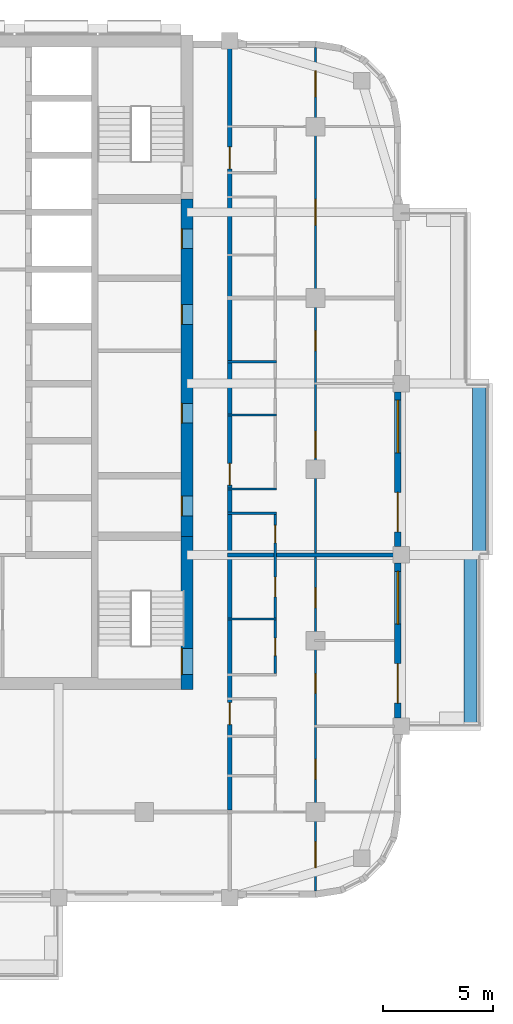
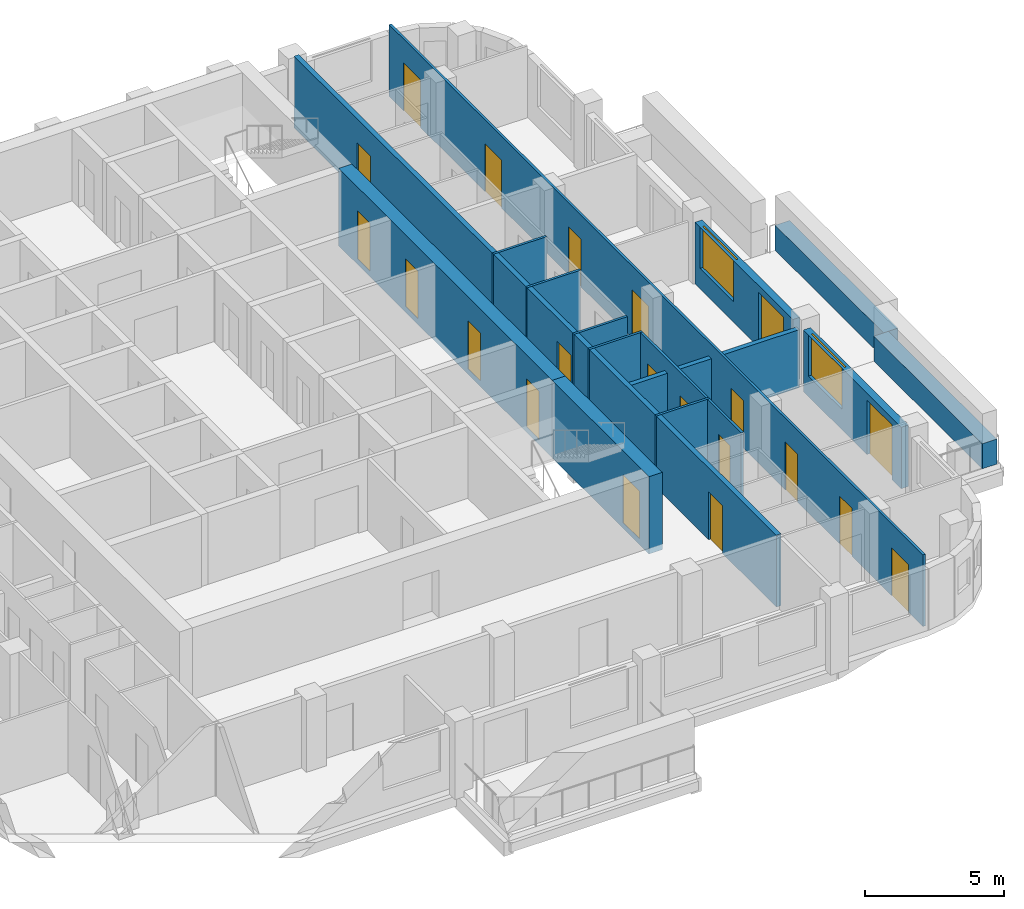
# One storey, part 6 of 13: 21 doors, 15 walls, 2 windows, 23 openings.
"""IFC4 building model written with IfcOpenShell, lengths in metres."""

from ifc_helpers import new_model, si_unit, direction, frame, frame_2d, origin, place, context, subcontext, project, spatial, rectangle, extrude, material, layer, layer_set, type_object, element, fill, save


model = new_model("IFC4")

# Units and contexts
model_context = context("Model", 3, precision=1e-05, world=origin(), true_north=direction((0.0, 1.0)))
body_context = subcontext(model_context, "Body", "Model", "MODEL_VIEW")
ifc_project = project(units=[si_unit("LENGTHUNIT", "METRE"), si_unit("AREAUNIT", "SQUARE_METRE"), si_unit("VOLUMEUNIT", "CUBIC_METRE"), si_unit("PLANEANGLEUNIT", "RADIAN"), si_unit("MASSUNIT", "GRAM", prefix="KILO")], contexts=[model_context])

# Site, building, storey
site_placement = place(None, origin())
site = spatial("IfcSite", under=ifc_project, at=site_placement, CompositionType="ELEMENT")
building_placement = place(site_placement, origin())
building = spatial("IfcBuilding", under=site, at=building_placement, Name="Ludao Terraces", CompositionType="ELEMENT")
storey_placement = place(building_placement, frame((0.0, 0.0, 158.800048828125)))
storey = spatial("IfcBuildingStorey", under=building, at=storey_placement, Name="L43", CompositionType="ELEMENT", Elevation=158.800048828125)

# Wall, opening, door
ifc_material_1 = material(Name="Concrete C60", Category="concrete")
ifc_layer_1 = layer(ifc_material_1, 0.550048828125)
ifc_layer_set_1 = layer_set([ifc_layer_1], Name="Core wall 550 C60")
wall_type_1 = type_object("IfcWallType", Name="Core wall 550 C60", PredefinedType="SOLIDWALL", material=ifc_layer_set_1)
wall_1_placement = place(storey_placement, frame((94.75, 54.97509765625, -0.25), z_axis=(0.0, 0.0, 1.0), x_axis=(0.0, 1.0, 0.0)))
wall_1 = element("IfcWall", 1, at=wall_1_placement, inside=storey, type_object=wall_type_1, Name="Core wall L43 outer-E-S3", PredefinedType="SOLIDWALL", context=body_context, shape_type="SweptSolid", body=[
    extrude(rectangle(XDim=6.974853515625, YDim=0.550048828125, at=frame_2d((3.4873046875, 0.0))), origin(), (0.0, 0.0, 1.0), 3.39990234375),
])
opening_1_placement = place(wall_1_placement, frame((0.675048828125, 0.0, 0.25)))
opening_1 = element("IfcOpeningElement", 2, at=opening_1_placement, cuts=wall_1, Name="Opening R15-017", PredefinedType="OPENING", context=body_context, shape_type="SweptSolid", body=[
    extrude(rectangle(XDim=1.199951171875, YDim=2.10009765625, at=frame_2d((0.60009765625, 1.050048828125))), frame((0.0, 0.28515625, 0.0), z_axis=(0.0, -1.0, 0.0), x_axis=(1.0, 0.0, 0.0)), (0.0, 0.0, 1.0), 0.570068359375),
])
ifc_material_2 = material(Name="Steel Q235", Category="steel")
door_type_1 = type_object("IfcDoorType", Name="INT Stair door 1200", OperationType="DOUBLE_DOOR_SINGLE_SWING", PredefinedType="DOOR", material=ifc_material_2)
door_1_placement = place(opening_1_placement, origin())
door_1 = element("IfcDoor", 3, at=door_1_placement, inside=storey, type_object=door_type_1, Name="DOOR 017", OperationType="DOUBLE_DOOR_SINGLE_SWING", OverallHeight=2.10009765625, OverallWidth=1.199951171875, PredefinedType="DOOR", context=body_context, shape_type="SweptSolid", body=[
    extrude(rectangle(XDim=1.199951171875, YDim=2.10009765625, at=frame_2d((0.60009765625, 1.050048828125))), frame((0.0, 0.26025390625, 0.0), z_axis=(0.0, -1.0, 0.0), x_axis=(1.0, 0.0, 0.0)), (0.0, 0.0, 1.0), 0.050048828125),
])
fill(opening_1, door_1)

# Wall, openings, doors
wall_2_placement = place(storey_placement, frame((94.75, 61.949951171875, -0.25), z_axis=(0.0, 0.0, 1.0), x_axis=(0.0, 1.0, 0.0)))
wall_2 = element("IfcWall", 4, at=wall_2_placement, inside=storey, type_object=wall_type_1, Name="Core wall L43 outer-E", PredefinedType="SOLIDWALL", context=body_context, shape_type="SweptSolid", body=[
    extrude(rectangle(XDim=15.35009765625, YDim=0.550048828125, at=frame_2d((7.675048828125, 0.0))), origin(), (0.0, 0.0, 1.0), 3.39990234375),
])
opening_2_placement = place(wall_2_placement, frame((0.925048828125, 0.0, 0.25)))
opening_2 = element("IfcOpeningElement", 5, at=opening_2_placement, cuts=wall_2, Name="Opening R15-034", PredefinedType="OPENING", context=body_context, shape_type="SweptSolid", body=[
    extrude(rectangle(XDim=0.89990234375, YDim=2.10009765625, at=frame_2d((0.449951171875, 1.050048828125))), frame((0.0, 0.28515625, 0.0), z_axis=(0.0, -1.0, 0.0), x_axis=(1.0, 0.0, 0.0)), (0.0, 0.0, 1.0), 0.570068359375),
])
opening_3_placement = place(wall_2_placement, frame((5.14990234375, 0.0, 0.25)))
opening_3 = element("IfcOpeningElement", 6, at=opening_3_placement, cuts=wall_2, Name="Opening R15-043", PredefinedType="OPENING", context=body_context, shape_type="SweptSolid", body=[
    extrude(rectangle(XDim=0.89990234375, YDim=2.10009765625, at=frame_2d((0.449951171875, 1.050048828125))), frame((0.0, 0.28515625, 0.0), z_axis=(0.0, -1.0, 0.0), x_axis=(1.0, 0.0, 0.0)), (0.0, 0.0, 1.0), 0.570068359375),
])
opening_4_placement = place(wall_2_placement, frame((9.64990234375, 0.0, 0.25)))
opening_4 = element("IfcOpeningElement", 7, at=opening_4_placement, cuts=wall_2, Name="Opening R15-056", PredefinedType="OPENING", context=body_context, shape_type="SweptSolid", body=[
    extrude(rectangle(XDim=0.89990234375, YDim=2.10009765625, at=frame_2d((0.449951171875, 1.050048828125))), frame((0.0, 0.28515625, 0.0), z_axis=(0.0, -1.0, 0.0), x_axis=(1.0, 0.0, 0.0)), (0.0, 0.0, 1.0), 0.570068359375),
])
opening_5_placement = place(wall_2_placement, frame((13.10009765625, 0.0, 0.25)))
opening_5 = element("IfcOpeningElement", 8, at=opening_5_placement, cuts=wall_2, Name="Opening R15-066", PredefinedType="OPENING", context=body_context, shape_type="SweptSolid", body=[
    extrude(rectangle(XDim=0.89990234375, YDim=2.10009765625, at=frame_2d((0.449951171875, 1.050048828125))), frame((0.0, 0.28515625, 0.0), z_axis=(0.0, -1.0, 0.0), x_axis=(1.0, 0.0, 0.0)), (0.0, 0.0, 1.0), 0.570068359375),
])
door_type_2 = type_object("IfcDoorType", Name="INT Riser door 900", OperationType="SINGLE_SWING_LEFT", PredefinedType="DOOR", material=ifc_material_2)
door_2_placement = place(opening_2_placement, origin())
door_2 = element("IfcDoor", 9, at=door_2_placement, inside=storey, type_object=door_type_2, Name="DOOR 034", OperationType="SINGLE_SWING_LEFT", OverallHeight=2.10009765625, OverallWidth=0.89990234375, PredefinedType="DOOR", context=body_context, shape_type="SweptSolid", body=[
    extrude(rectangle(XDim=0.89990234375, YDim=2.10009765625, at=frame_2d((0.449951171875, 1.050048828125))), frame((0.0, 0.26025390625, 0.0), z_axis=(0.0, -1.0, 0.0), x_axis=(1.0, 0.0, 0.0)), (0.0, 0.0, 1.0), 0.050048828125),
])
fill(opening_2, door_2)
door_3_placement = place(opening_5_placement, origin())
door_3 = element("IfcDoor", 10, at=door_3_placement, inside=storey, type_object=door_type_2, Name="DOOR 066", OperationType="SINGLE_SWING_RIGHT", OverallHeight=2.10009765625, OverallWidth=0.89990234375, PredefinedType="DOOR", context=body_context, shape_type="SweptSolid", body=[
    extrude(rectangle(XDim=0.89990234375, YDim=2.10009765625, at=frame_2d((0.449951171875, 1.050048828125))), frame((0.0, 0.26025390625, 0.0), z_axis=(0.0, -1.0, 0.0), x_axis=(1.0, 0.0, 0.0)), (0.0, 0.0, 1.0), 0.050048828125),
])
fill(opening_5, door_3)
ifc_material_3 = material(Name="Timber door leaf", Category="wood")
door_type_3 = type_object("IfcDoorType", Name="INT Room door 900", OperationType="SINGLE_SWING_LEFT", PredefinedType="DOOR", material=ifc_material_3)
door_4_placement = place(opening_3_placement, origin())
door_4 = element("IfcDoor", 11, at=door_4_placement, inside=storey, type_object=door_type_3, Name="DOOR 043", OperationType="SINGLE_SWING_LEFT", OverallHeight=2.10009765625, OverallWidth=0.89990234375, PredefinedType="DOOR", context=body_context, shape_type="SweptSolid", body=[
    extrude(rectangle(XDim=0.89990234375, YDim=2.10009765625, at=frame_2d((0.449951171875, 1.050048828125))), frame((0.0, 0.26025390625, 0.0), z_axis=(0.0, -1.0, 0.0), x_axis=(1.0, 0.0, 0.0)), (0.0, 0.0, 1.0), 0.050048828125),
])
fill(opening_3, door_4)
door_5_placement = place(opening_4_placement, origin())
door_5 = element("IfcDoor", 12, at=door_5_placement, inside=storey, type_object=door_type_3, Name="DOOR 056", OperationType="SINGLE_SWING_RIGHT", OverallHeight=2.10009765625, OverallWidth=0.89990234375, PredefinedType="DOOR", context=body_context, shape_type="SweptSolid", body=[
    extrude(rectangle(XDim=0.89990234375, YDim=2.10009765625, at=frame_2d((0.449951171875, 1.050048828125))), frame((0.0, 0.26025390625, 0.0), z_axis=(0.0, -1.0, 0.0), x_axis=(1.0, 0.0, 0.0)), (0.0, 0.0, 1.0), 0.050048828125),
])
fill(opening_4, door_5)

# Walls
ifc_material_4 = material(Name="Concrete C40", Category="concrete")
ifc_layer_2 = layer(ifc_material_4, 0.60009765625)
ifc_layer_set_2 = layer_set([ifc_layer_2], Name="ENV Planter trough 600")
wall_type_2 = type_object("IfcWallType", Name="ENV Planter trough 600", PredefinedType="USERDEFINED", material=ifc_layer_set_2)
wall_3_placement = place(storey_placement, frame((107.64990234375, 53.300048828125, 0.0), z_axis=(0.0, 0.0, 1.0), x_axis=(0.0, 1.0, 0.0)))
element("IfcWall", 13, at=wall_3_placement, inside=storey, type_object=wall_type_2, Name="PL-L43-E1", ObjectType="PLANTER", PredefinedType="USERDEFINED", context=body_context, shape_type="SweptSolid", body=[
    extrude(rectangle(XDim=7.800048828125, YDim=0.60009765625, at=frame_2d((3.89990234375, 0.0))), origin(), (0.0, 0.0, 1.0), 1.099853515625),
])
wall_4_placement = place(storey_placement, frame((108.050048828125, 61.10009765625, 0.0), z_axis=(0.0, 0.0, 1.0), x_axis=(0.0, 1.0, 0.0)))
element("IfcWall", 14, at=wall_4_placement, inside=storey, type_object=wall_type_2, Name="PL-L43-E2", ObjectType="PLANTER", PredefinedType="USERDEFINED", context=body_context, shape_type="SweptSolid", body=[
    extrude(rectangle(XDim=7.7998046875, YDim=0.60009765625, at=frame_2d((3.89990234375, 0.0))), origin(), (0.0, 0.0, 1.0), 1.099853515625),
])

# Wall, openings, door, window
ifc_material_5 = material(Name="Granite cladding", Category="masonry")
ifc_layer_3 = layer(ifc_material_5, 0.0400390625, Category="stone")
ifc_material_6 = material(Name="Mineral wool")
ifc_layer_4 = layer(ifc_material_6, 0.06005859375)
ifc_layer_5 = layer(ifc_material_4, 0.199951171875, Category="concrete")
ifc_layer_set_3 = layer_set([ifc_layer_3, ifc_layer_4, ifc_layer_5], Name="ENV Stone-clad wall 300")
wall_type_3 = type_object("IfcWallType", Name="ENV Stone-clad wall 300", PredefinedType="SOLIDWALL", material=ifc_layer_set_3)
wall_5_placement = place(storey_placement, frame((104.35009765625, 53.675048828125, 0.0), z_axis=(0.0, 0.0, 1.0), x_axis=(0.0, 1.0, 0.0)))
wall_5 = element("IfcWall", 15, at=wall_5_placement, inside=storey, type_object=wall_type_3, Name="EW-L43-E2", PredefinedType="SOLIDWALL", context=body_context, shape_type="SweptSolid", body=[
    extrude(rectangle(XDim=7.050048828125, YDim=0.300048828125, at=frame_2d((3.52490234375, 0.0))), origin(), (0.0, 0.0, 1.0), 2.699951171875),
])
opening_6_placement = place(wall_5_placement, frame((0.675048828125, 0.0, 0.0)))
opening_6 = element("IfcOpeningElement", 16, at=opening_6_placement, cuts=wall_5, Name="Opening BD", PredefinedType="OPENING", context=body_context, shape_type="SweptSolid", body=[
    extrude(rectangle(XDim=1.800048828125, YDim=2.39990234375, at=frame_2d((0.89990234375, 1.199951171875))), frame((0.0, 0.16015625, 0.0), z_axis=(0.0, -1.0, 0.0), x_axis=(1.0, 0.0, 0.0)), (0.0, 0.0, 1.0), 0.320068359375),
])
opening_7_placement = place(wall_5_placement, frame((4.27490234375, 0.0, 0.89990234375)))
opening_7 = element("IfcOpeningElement", 17, at=opening_7_placement, cuts=wall_5, Name="Opening W1", PredefinedType="OPENING", context=body_context, shape_type="SweptSolid", body=[
    extrude(rectangle(XDim=2.39990234375, YDim=1.800048828125, at=frame_2d((1.199951171875, 0.89990234375))), frame((0.0, 0.16015625, 0.0), z_axis=(0.0, -1.0, 0.0), x_axis=(1.0, 0.0, 0.0)), (0.0, 0.0, 1.0), 0.320068359375),
])
ifc_material_7 = material(Name="Aluminium glazed door", Category="aluminium")
ifc_layer_6 = layer(ifc_material_7, 0.06005859375)
ifc_layer_set_4 = layer_set([ifc_layer_6], Name="ENV Balcony door BD 1800x2400")
door_type_4 = type_object("IfcDoorType", Name="ENV Balcony door BD 1800x2400", OperationType="DOUBLE_DOOR_SINGLE_SWING", PredefinedType="DOOR", material=ifc_layer_set_4)
door_6_placement = place(opening_6_placement, origin())
door_6 = element("IfcDoor", 18, at=door_6_placement, inside=storey, type_object=door_type_4, Name="BD-L43-E2-1", OperationType="DOUBLE_DOOR_SINGLE_SWING", OverallHeight=2.39990234375, OverallWidth=1.800048828125, PredefinedType="DOOR", context=body_context, shape_type="SweptSolid", body=[
    extrude(rectangle(XDim=1.800048828125, YDim=2.39990234375, at=frame_2d((0.89990234375, 1.199951171875))), frame((0.0, 0.02490234375, 0.0), z_axis=(0.0, -1.0, 0.0), x_axis=(1.0, 0.0, 0.0)), (0.0, 0.0, 1.0), 0.050048828125),
])
fill(opening_6, door_6)
ifc_material_8 = material(Name="Clear glass in aluminium frame", Category="aluminium")
ifc_layer_7 = layer(ifc_material_8, 0.06005859375)
ifc_layer_set_5 = layer_set([ifc_layer_7], Name="ENV Window W1 2400x1800")
window_type = type_object("IfcWindowType", Name="ENV Window W1 2400x1800", PartitioningType="DOUBLE_PANEL_VERTICAL", PredefinedType="WINDOW", material=ifc_layer_set_5)
window_1_placement = place(opening_7_placement, origin())
window_1 = element("IfcWindow", 19, at=window_1_placement, inside=storey, type_object=window_type, Name="W-L43-E2-2", OverallHeight=1.800048828125, OverallWidth=2.39990234375, PartitioningType="DOUBLE_PANEL_VERTICAL", PredefinedType="WINDOW", context=body_context, shape_type="SweptSolid", body=[
    extrude(rectangle(XDim=2.39990234375, YDim=1.800048828125, at=frame_2d((1.199951171875, 0.89990234375))), frame((0.0, 0.030029296875, 0.0), z_axis=(0.0, -1.0, 0.0), x_axis=(1.0, 0.0, 0.0)), (0.0, 0.0, 1.0), 0.06005859375),
])
fill(opening_7, window_1)

wall_6_placement = place(storey_placement, frame((104.35009765625, 61.47509765625, 0.0), z_axis=(0.0, 0.0, 1.0), x_axis=(0.0, 1.0, 0.0)))
wall_6 = element("IfcWall", 20, at=wall_6_placement, inside=storey, type_object=wall_type_3, Name="EW-L43-E3", PredefinedType="SOLIDWALL", context=body_context, shape_type="SweptSolid", body=[
    extrude(rectangle(XDim=7.0498046875, YDim=0.300048828125, at=frame_2d((3.52490234375, 0.0))), origin(), (0.0, 0.0, 1.0), 2.699951171875),
])
opening_8_placement = place(wall_6_placement, frame((0.675048828125, 0.0, 0.0)))
opening_8 = element("IfcOpeningElement", 21, at=opening_8_placement, cuts=wall_6, Name="Opening BD", PredefinedType="OPENING", context=body_context, shape_type="SweptSolid", body=[
    extrude(rectangle(XDim=1.800048828125, YDim=2.39990234375, at=frame_2d((0.89990234375, 1.199951171875))), frame((0.0, 0.16015625, 0.0), z_axis=(0.0, -1.0, 0.0), x_axis=(1.0, 0.0, 0.0)), (0.0, 0.0, 1.0), 0.320068359375),
])
opening_9_placement = place(wall_6_placement, frame((4.27490234375, 0.0, 0.89990234375)))
opening_9 = element("IfcOpeningElement", 22, at=opening_9_placement, cuts=wall_6, Name="Opening W1", PredefinedType="OPENING", context=body_context, shape_type="SweptSolid", body=[
    extrude(rectangle(XDim=2.39990234375, YDim=1.800048828125, at=frame_2d((1.199951171875, 0.89990234375))), frame((0.0, 0.16015625, 0.0), z_axis=(0.0, -1.0, 0.0), x_axis=(1.0, 0.0, 0.0)), (0.0, 0.0, 1.0), 0.320068359375),
])
door_7_placement = place(opening_8_placement, origin())
door_7 = element("IfcDoor", 23, at=door_7_placement, inside=storey, type_object=door_type_4, Name="BD-L43-E3-1", OperationType="DOUBLE_DOOR_SINGLE_SWING", OverallHeight=2.39990234375, OverallWidth=1.800048828125, PredefinedType="DOOR", context=body_context, shape_type="SweptSolid", body=[
    extrude(rectangle(XDim=1.800048828125, YDim=2.39990234375, at=frame_2d((0.89990234375, 1.199951171875))), frame((0.0, 0.02490234375, 0.0), z_axis=(0.0, -1.0, 0.0), x_axis=(1.0, 0.0, 0.0)), (0.0, 0.0, 1.0), 0.050048828125),
])
fill(opening_8, door_7)
window_2_placement = place(opening_9_placement, origin())
window_2 = element("IfcWindow", 24, at=window_2_placement, inside=storey, type_object=window_type, Name="W-L43-E3-2", OverallHeight=1.800048828125, OverallWidth=2.39990234375, PartitioningType="DOUBLE_PANEL_VERTICAL", PredefinedType="WINDOW", context=body_context, shape_type="SweptSolid", body=[
    extrude(rectangle(XDim=2.39990234375, YDim=1.800048828125, at=frame_2d((1.199951171875, 0.89990234375))), frame((0.0, 0.030029296875, 0.0), z_axis=(0.0, -1.0, 0.0), x_axis=(1.0, 0.0, 0.0)), (0.0, 0.0, 1.0), 0.06005859375),
])
fill(opening_9, window_2)

# Wall, openings, doors
ifc_material_9 = material(Name="Autoclaved aerated concrete block B06 A3.5", Category="concrete")
ifc_layer_8 = layer(ifc_material_9, 0.199951171875)
ifc_layer_set_6 = layer_set([ifc_layer_8], Name="INT Entrance wall 200")
wall_type_4 = type_object("IfcWallType", Name="INT Entrance wall 200", PredefinedType="PARTITIONING", material=ifc_layer_set_6)
wall_7_placement = place(storey_placement, frame((96.699951171875, 49.5, 0.0), z_axis=(0.0, 0.0, 1.0), x_axis=(0.0, 1.0, 0.0)))
wall_7 = element("IfcWall", 25, at=wall_7_placement, inside=storey, type_object=wall_type_4, Name="PW-L43-PW056", PredefinedType="PARTITIONING", context=body_context, shape_type="SweptSolid", body=[
    extrude(rectangle(XDim=34.7001953125, YDim=0.199951171875, at=frame_2d((17.35009765625, 0.0))), origin(), (0.0, 0.0, 1.0), 3.14990234375),
])
opening_10_placement = place(wall_7_placement, frame((3.875, 0.0, 0.0)))
opening_10 = element("IfcOpeningElement", 26, at=opening_10_placement, cuts=wall_7, Name="Opening R15-013", PredefinedType="OPENING", context=body_context, shape_type="SweptSolid", body=[
    extrude(rectangle(XDim=1.0, YDim=2.10009765625, at=frame_2d((0.5, 1.050048828125))), frame((0.0, 0.10986328125, 0.0), z_axis=(0.0, -1.0, 0.0), x_axis=(1.0, 0.0, 0.0)), (0.0, 0.0, 1.0), 0.219970703125),
])
opening_11_placement = place(wall_7_placement, frame((14.775146484375, 0.0, 0.0)))
opening_11 = element("IfcOpeningElement", 27, at=opening_11_placement, cuts=wall_7, Name="Opening R15-036", PredefinedType="OPENING", context=body_context, shape_type="SweptSolid", body=[
    extrude(rectangle(XDim=1.0, YDim=2.10009765625, at=frame_2d((0.5, 1.050048828125))), frame((0.0, 0.10986328125, 0.0), z_axis=(0.0, -1.0, 0.0), x_axis=(1.0, 0.0, 0.0)), (0.0, 0.0, 1.0), 0.219970703125),
])
opening_12_placement = place(wall_7_placement, frame((29.175048828125, 0.0, 0.0)))
opening_12 = element("IfcOpeningElement", 28, at=opening_12_placement, cuts=wall_7, Name="Opening R15-078", PredefinedType="OPENING", context=body_context, shape_type="SweptSolid", body=[
    extrude(rectangle(XDim=1.0, YDim=2.10009765625, at=frame_2d((0.5, 1.050048828125))), frame((0.0, 0.10986328125, 0.0), z_axis=(0.0, -1.0, 0.0), x_axis=(1.0, 0.0, 0.0)), (0.0, 0.0, 1.0), 0.219970703125),
])
door_type_5 = type_object("IfcDoorType", Name="INT Flat entrance door 1000", OperationType="SINGLE_SWING_LEFT", PredefinedType="DOOR", material=ifc_material_2)
door_8_placement = place(opening_10_placement, origin())
door_8 = element("IfcDoor", 29, at=door_8_placement, inside=storey, type_object=door_type_5, Name="DOOR 013", OperationType="SINGLE_SWING_RIGHT", OverallHeight=2.10009765625, OverallWidth=1.0, PredefinedType="DOOR", context=body_context, shape_type="SweptSolid", body=[
    extrude(rectangle(XDim=1.0, YDim=2.10009765625, at=frame_2d((0.5, 1.050048828125))), frame((0.0, 0.02490234375, 0.0), z_axis=(0.0, -1.0, 0.0), x_axis=(1.0, 0.0, 0.0)), (0.0, 0.0, 1.0), 0.050048828125),
])
fill(opening_10, door_8)
door_9_placement = place(opening_11_placement, origin())
door_9 = element("IfcDoor", 30, at=door_9_placement, inside=storey, type_object=door_type_5, Name="DOOR 036", OperationType="SINGLE_SWING_LEFT", OverallHeight=2.10009765625, OverallWidth=1.0, PredefinedType="DOOR", context=body_context, shape_type="SweptSolid", body=[
    extrude(rectangle(XDim=1.0, YDim=2.10009765625, at=frame_2d((0.5, 1.050048828125))), frame((0.0, 0.02490234375, 0.0), z_axis=(0.0, -1.0, 0.0), x_axis=(1.0, 0.0, 0.0)), (0.0, 0.0, 1.0), 0.050048828125),
])
fill(opening_11, door_9)
door_10_placement = place(opening_12_placement, origin())
door_10 = element("IfcDoor", 31, at=door_10_placement, inside=storey, type_object=door_type_5, Name="DOOR 078", OperationType="SINGLE_SWING_LEFT", OverallHeight=2.10009765625, OverallWidth=1.0, PredefinedType="DOOR", context=body_context, shape_type="SweptSolid", body=[
    extrude(rectangle(XDim=1.0, YDim=2.10009765625, at=frame_2d((0.5, 1.050048828125))), frame((0.0, 0.02490234375, 0.0), z_axis=(0.0, -1.0, 0.0), x_axis=(1.0, 0.0, 0.0)), (0.0, 0.0, 1.0), 0.050048828125),
])
fill(opening_12, door_10)

# Walls
ifc_material_10 = material(Name="Gypsum plasterboard", Category="gypsum")
ifc_layer_9 = layer(ifc_material_10, 0.012451171875, Category="gypsum")
ifc_layer_10 = layer(ifc_material_6, 0.06005859375, Name="insulation")
ifc_layer_11 = layer(ifc_material_2, 0.014892578125, Name="stud")
ifc_layer_12 = layer(ifc_material_10, 0.012451171875, Category="gypsum")
ifc_layer_set_7 = layer_set([ifc_layer_9, ifc_layer_10, ifc_layer_11, ifc_layer_12], Name="INT Partition 100")
wall_type_5 = type_object("IfcWallType", Name="INT Partition 100", PredefinedType="PARTITIONING", material=ifc_layer_set_7)
for number, where, z_axis, x_axis, name in (
    (32, (96.60009765625, 58.179931640625, 0.0), (0.0, 0.0, 1.0), (1.0, 0.0, 0.0), "PW-L43-PW014"),
    (33, (96.60009765625, 63.0, 0.0), (0.0, 0.0, 1.0), (1.0, 0.0, 0.0), "PW-L43-PW019"),
    (34, (96.60009765625, 64.10009765625, 0.0), (0.0, 0.0, 1.0), (1.0, 0.0, 0.0), "PW-L43-PW022"),
    (35, (96.60009765625, 67.469970703125, 0.0), (0.0, 0.0, 1.0), (1.0, 0.0, 0.0), "PW-L43-PW025"),
    (36, (96.60009765625, 69.89990234375, 0.0), (0.0, 0.0, 1.0), (1.0, 0.0, 0.0), "PW-L43-PW028"),
):
    element("IfcWall", number, at=place(storey_placement, frame(where, z_axis=z_axis, x_axis=x_axis)), inside=storey, type_object=wall_type_5, Name=name, PredefinedType="PARTITIONING", context=body_context, shape_type="SweptSolid", body=[
        extrude(rectangle(XDim=2.219970703125, YDim=0.10009765625, at=frame_2d((1.10986328125, 0.0))), origin(), (0.0, 0.0, 1.0), 3.14990234375),
    ])

# Wall, openings, doors
wall_8_placement = place(storey_placement, frame((98.77001953125, 55.7001953125, 0.0), z_axis=(0.0, 0.0, 1.0), x_axis=(0.0, 1.0, 0.0)))
wall_8 = element("IfcWall", 37, at=wall_8_placement, inside=storey, type_object=wall_type_5, Name="PW-L43-PW058", PredefinedType="PARTITIONING", context=body_context, shape_type="SweptSolid", body=[
    extrude(rectangle(XDim=7.25, YDim=0.10009765625, at=frame_2d((3.625, 0.0))), origin(), (0.0, 0.0, 1.0), 3.14990234375),
])
opening_13_placement = place(wall_8_placement, frame((0.81494140625, 0.0, 0.0)))
opening_13 = element("IfcOpeningElement", 38, at=opening_13_placement, cuts=wall_8, Name="Opening R15-018", PredefinedType="OPENING", context=body_context, shape_type="SweptSolid", body=[
    extrude(rectangle(XDim=0.800048828125, YDim=2.10009765625, at=frame_2d((0.39990234375, 1.050048828125))), frame((0.0, 0.06005859375, 0.0), z_axis=(0.0, -1.0, 0.0), x_axis=(1.0, 0.0, 0.0)), (0.0, 0.0, 1.0), 0.1201171875),
])
opening_14_placement = place(wall_8_placement, frame((3.489990234375, 0.0, 0.0)))
opening_14 = element("IfcOpeningElement", 39, at=opening_14_placement, cuts=wall_8, Name="Opening R15-025", PredefinedType="OPENING", context=body_context, shape_type="SweptSolid", body=[
    extrude(rectangle(XDim=0.89990234375, YDim=2.10009765625, at=frame_2d((0.449951171875, 1.050048828125))), frame((0.0, 0.06005859375, 0.0), z_axis=(0.0, -1.0, 0.0), x_axis=(1.0, 0.0, 0.0)), (0.0, 0.0, 1.0), 0.1201171875),
])
opening_15_placement = place(wall_8_placement, frame((5.949951171875, 0.0, 0.0)))
opening_15 = element("IfcOpeningElement", 40, at=opening_15_placement, cuts=wall_8, Name="Opening R15-028", PredefinedType="OPENING", context=body_context, shape_type="SweptSolid", body=[
    extrude(rectangle(XDim=0.800048828125, YDim=2.10009765625, at=frame_2d((0.39990234375, 1.050048828125))), frame((0.0, 0.06005859375, 0.0), z_axis=(0.0, -1.0, 0.0), x_axis=(1.0, 0.0, 0.0)), (0.0, 0.0, 1.0), 0.1201171875),
])
door_11_placement = place(opening_14_placement, origin())
door_11 = element("IfcDoor", 41, at=door_11_placement, inside=storey, type_object=door_type_3, Name="DOOR 025", OperationType="SINGLE_SWING_RIGHT", OverallHeight=2.10009765625, OverallWidth=0.89990234375, PredefinedType="DOOR", context=body_context, shape_type="SweptSolid", body=[
    extrude(rectangle(XDim=0.89990234375, YDim=2.10009765625, at=frame_2d((0.449951171875, 1.050048828125))), frame((0.0, 0.02490234375, 0.0), z_axis=(0.0, -1.0, 0.0), x_axis=(1.0, 0.0, 0.0)), (0.0, 0.0, 1.0), 0.050048828125),
])
fill(opening_14, door_11)
door_type_6 = type_object("IfcDoorType", Name="INT Store door 800", OperationType="SINGLE_SWING_LEFT", PredefinedType="DOOR", material=ifc_material_3)
door_12_placement = place(opening_13_placement, origin())
door_12 = element("IfcDoor", 42, at=door_12_placement, inside=storey, type_object=door_type_6, Name="DOOR 018", OperationType="SINGLE_SWING_LEFT", OverallHeight=2.10009765625, OverallWidth=0.800048828125, PredefinedType="DOOR", context=body_context, shape_type="SweptSolid", body=[
    extrude(rectangle(XDim=0.800048828125, YDim=2.10009765625, at=frame_2d((0.39990234375, 1.050048828125))), frame((0.0, 0.02490234375, 0.0), z_axis=(0.0, -1.0, 0.0), x_axis=(1.0, 0.0, 0.0)), (0.0, 0.0, 1.0), 0.050048828125),
])
fill(opening_13, door_12)
door_13_placement = place(opening_15_placement, origin())
door_13 = element("IfcDoor", 43, at=door_13_placement, inside=storey, type_object=door_type_6, Name="DOOR 028", OperationType="SINGLE_SWING_LEFT", OverallHeight=2.10009765625, OverallWidth=0.800048828125, PredefinedType="DOOR", context=body_context, shape_type="SweptSolid", body=[
    extrude(rectangle(XDim=0.800048828125, YDim=2.10009765625, at=frame_2d((0.39990234375, 1.050048828125))), frame((0.0, 0.02490234375, 0.0), z_axis=(0.0, -1.0, 0.0), x_axis=(1.0, 0.0, 0.0)), (0.0, 0.0, 1.0), 0.050048828125),
])
fill(opening_15, door_13)

wall_9_placement = place(storey_placement, frame((100.60009765625, 45.800048828125, 0.0), z_axis=(0.0, 0.0, 1.0), x_axis=(0.0, 1.0, 0.0)))
wall_9 = element("IfcWall", 44, at=wall_9_placement, inside=storey, type_object=wall_type_5, Name="PW-L43-PW061", PredefinedType="PARTITIONING", context=body_context, shape_type="SweptSolid", body=[
    extrude(rectangle(XDim=38.400146484375, YDim=0.10009765625, at=frame_2d((19.2001953125, 0.0))), origin(), (0.0, 0.0, 1.0), 3.14990234375),
])
opening_16_placement = place(wall_9_placement, frame((1.050048828125, 0.0, 0.0)))
opening_16 = element("IfcOpeningElement", 45, at=opening_16_placement, cuts=wall_9, Name="Opening R15-002", PredefinedType="OPENING", context=body_context, shape_type="SweptSolid", body=[
    extrude(rectangle(XDim=1.199951171875, YDim=2.10009765625, at=frame_2d((0.60009765625, 1.050048828125))), frame((0.0, 0.06005859375, 0.0), z_axis=(0.0, -1.0, 0.0), x_axis=(1.0, 0.0, 0.0)), (0.0, 0.0, 1.0), 0.1201171875),
])
opening_17_placement = place(wall_9_placement, frame((5.10009765625, 0.0, 0.0)))
opening_17 = element("IfcOpeningElement", 46, at=opening_17_placement, cuts=wall_9, Name="Opening R15-010", PredefinedType="OPENING", context=body_context, shape_type="SweptSolid", body=[
    extrude(rectangle(XDim=0.89990234375, YDim=2.10009765625, at=frame_2d((0.449951171875, 1.050048828125))), frame((0.0, 0.06005859375, 0.0), z_axis=(0.0, -1.0, 0.0), x_axis=(1.0, 0.0, 0.0)), (0.0, 0.0, 1.0), 0.1201171875),
])
opening_18_placement = place(wall_9_placement, frame((9.0, 0.0, 0.0)))
opening_18 = element("IfcOpeningElement", 47, at=opening_18_placement, cuts=wall_9, Name="Opening R15-016", PredefinedType="OPENING", context=body_context, shape_type="SweptSolid", body=[
    extrude(rectangle(XDim=0.89990234375, YDim=2.10009765625, at=frame_2d((0.449951171875, 1.050048828125))), frame((0.0, 0.06005859375, 0.0), z_axis=(0.0, -1.0, 0.0), x_axis=(1.0, 0.0, 0.0)), (0.0, 0.0, 1.0), 0.1201171875),
])
opening_19_placement = place(wall_9_placement, frame((12.89990234375, 0.0, 0.0)))
opening_19 = element("IfcOpeningElement", 48, at=opening_19_placement, cuts=wall_9, Name="Opening R15-024", PredefinedType="OPENING", context=body_context, shape_type="SweptSolid", body=[
    extrude(rectangle(XDim=0.89990234375, YDim=2.10009765625, at=frame_2d((0.449951171875, 1.050048828125))), frame((0.0, 0.06005859375, 0.0), z_axis=(0.0, -1.0, 0.0), x_axis=(1.0, 0.0, 0.0)), (0.0, 0.0, 1.0), 0.1201171875),
])
opening_20_placement = place(wall_9_placement, frame((19.72509765625, 0.0, 0.0)))
opening_20 = element("IfcOpeningElement", 49, at=opening_20_placement, cuts=wall_9, Name="Opening R15-041", PredefinedType="OPENING", context=body_context, shape_type="SweptSolid", body=[
    extrude(rectangle(XDim=1.199951171875, YDim=2.10009765625, at=frame_2d((0.60009765625, 1.050048828125))), frame((0.0, 0.06005859375, 0.0), z_axis=(0.0, -1.0, 0.0), x_axis=(1.0, 0.0, 0.0)), (0.0, 0.0, 1.0), 0.1201171875),
])
opening_21_placement = place(wall_9_placement, frame((24.60009765625, 0.0, 0.0)))
opening_21 = element("IfcOpeningElement", 50, at=opening_21_placement, cuts=wall_9, Name="Opening R15-052", PredefinedType="OPENING", context=body_context, shape_type="SweptSolid", body=[
    extrude(rectangle(XDim=0.89990234375, YDim=2.10009765625, at=frame_2d((0.449951171875, 1.050048828125))), frame((0.0, 0.06005859375, 0.0), z_axis=(0.0, -1.0, 0.0), x_axis=(1.0, 0.0, 0.0)), (0.0, 0.0, 1.0), 0.1201171875),
])
opening_22_placement = place(wall_9_placement, frame((30.300048828125, 0.0, 0.0)))
opening_22 = element("IfcOpeningElement", 51, at=opening_22_placement, cuts=wall_9, Name="Opening R15-070", PredefinedType="OPENING", context=body_context, shape_type="SweptSolid", body=[
    extrude(rectangle(XDim=1.199951171875, YDim=2.10009765625, at=frame_2d((0.60009765625, 1.050048828125))), frame((0.0, 0.06005859375, 0.0), z_axis=(0.0, -1.0, 0.0), x_axis=(1.0, 0.0, 0.0)), (0.0, 0.0, 1.0), 0.1201171875),
])
opening_23_placement = place(wall_9_placement, frame((36.14990234375, 0.0, 0.0)))
opening_23 = element("IfcOpeningElement", 52, at=opening_23_placement, cuts=wall_9, Name="Opening R15-086", PredefinedType="OPENING", context=body_context, shape_type="SweptSolid", body=[
    extrude(rectangle(XDim=1.199951171875, YDim=2.10009765625, at=frame_2d((0.60009765625, 1.050048828125))), frame((0.0, 0.06005859375, 0.0), z_axis=(0.0, -1.0, 0.0), x_axis=(1.0, 0.0, 0.0)), (0.0, 0.0, 1.0), 0.1201171875),
])
door_type_7 = type_object("IfcDoorType", Name="INT Double door 1200", OperationType="DOUBLE_DOOR_SINGLE_SWING", PredefinedType="DOOR", material=ifc_material_3)
door_14_placement = place(opening_16_placement, origin())
door_14 = element("IfcDoor", 53, at=door_14_placement, inside=storey, type_object=door_type_7, Name="DOOR 002", OperationType="DOUBLE_DOOR_SINGLE_SWING", OverallHeight=2.10009765625, OverallWidth=1.199951171875, PredefinedType="DOOR", context=body_context, shape_type="SweptSolid", body=[
    extrude(rectangle(XDim=1.199951171875, YDim=2.10009765625, at=frame_2d((0.60009765625, 1.050048828125))), frame((0.0, 0.02490234375, 0.0), z_axis=(0.0, -1.0, 0.0), x_axis=(1.0, 0.0, 0.0)), (0.0, 0.0, 1.0), 0.050048828125),
])
fill(opening_16, door_14)
door_15_placement = place(opening_20_placement, origin())
door_15 = element("IfcDoor", 54, at=door_15_placement, inside=storey, type_object=door_type_7, Name="DOOR 041", OperationType="DOUBLE_DOOR_SINGLE_SWING", OverallHeight=2.10009765625, OverallWidth=1.199951171875, PredefinedType="DOOR", context=body_context, shape_type="SweptSolid", body=[
    extrude(rectangle(XDim=1.199951171875, YDim=2.10009765625, at=frame_2d((0.60009765625, 1.050048828125))), frame((0.0, 0.02490234375, 0.0), z_axis=(0.0, -1.0, 0.0), x_axis=(1.0, 0.0, 0.0)), (0.0, 0.0, 1.0), 0.050048828125),
])
fill(opening_20, door_15)
door_16_placement = place(opening_22_placement, origin())
door_16 = element("IfcDoor", 55, at=door_16_placement, inside=storey, type_object=door_type_7, Name="DOOR 070", OperationType="DOUBLE_DOOR_SINGLE_SWING", OverallHeight=2.10009765625, OverallWidth=1.199951171875, PredefinedType="DOOR", context=body_context, shape_type="SweptSolid", body=[
    extrude(rectangle(XDim=1.199951171875, YDim=2.10009765625, at=frame_2d((0.60009765625, 1.050048828125))), frame((0.0, 0.02490234375, 0.0), z_axis=(0.0, -1.0, 0.0), x_axis=(1.0, 0.0, 0.0)), (0.0, 0.0, 1.0), 0.050048828125),
])
fill(opening_22, door_16)
door_17_placement = place(opening_23_placement, origin())
door_17 = element("IfcDoor", 56, at=door_17_placement, inside=storey, type_object=door_type_7, Name="DOOR 086", OperationType="DOUBLE_DOOR_SINGLE_SWING", OverallHeight=2.10009765625, OverallWidth=1.199951171875, PredefinedType="DOOR", context=body_context, shape_type="SweptSolid", body=[
    extrude(rectangle(XDim=1.199951171875, YDim=2.10009765625, at=frame_2d((0.60009765625, 1.050048828125))), frame((0.0, 0.02490234375, 0.0), z_axis=(0.0, -1.0, 0.0), x_axis=(1.0, 0.0, 0.0)), (0.0, 0.0, 1.0), 0.050048828125),
])
fill(opening_23, door_17)
door_18_placement = place(opening_17_placement, origin())
door_18 = element("IfcDoor", 57, at=door_18_placement, inside=storey, type_object=door_type_3, Name="DOOR 010", OperationType="SINGLE_SWING_LEFT", OverallHeight=2.10009765625, OverallWidth=0.89990234375, PredefinedType="DOOR", context=body_context, shape_type="SweptSolid", body=[
    extrude(rectangle(XDim=0.89990234375, YDim=2.10009765625, at=frame_2d((0.449951171875, 1.050048828125))), frame((0.0, 0.02490234375, 0.0), z_axis=(0.0, -1.0, 0.0), x_axis=(1.0, 0.0, 0.0)), (0.0, 0.0, 1.0), 0.050048828125),
])
fill(opening_17, door_18)
door_19_placement = place(opening_18_placement, origin())
door_19 = element("IfcDoor", 58, at=door_19_placement, inside=storey, type_object=door_type_3, Name="DOOR 016", OperationType="SINGLE_SWING_RIGHT", OverallHeight=2.10009765625, OverallWidth=0.89990234375, PredefinedType="DOOR", context=body_context, shape_type="SweptSolid", body=[
    extrude(rectangle(XDim=0.89990234375, YDim=2.10009765625, at=frame_2d((0.449951171875, 1.050048828125))), frame((0.0, 0.02490234375, 0.0), z_axis=(0.0, -1.0, 0.0), x_axis=(1.0, 0.0, 0.0)), (0.0, 0.0, 1.0), 0.050048828125),
])
fill(opening_18, door_19)
door_20_placement = place(opening_19_placement, origin())
door_20 = element("IfcDoor", 59, at=door_20_placement, inside=storey, type_object=door_type_3, Name="DOOR 024", OperationType="SINGLE_SWING_RIGHT", OverallHeight=2.10009765625, OverallWidth=0.89990234375, PredefinedType="DOOR", context=body_context, shape_type="SweptSolid", body=[
    extrude(rectangle(XDim=0.89990234375, YDim=2.10009765625, at=frame_2d((0.449951171875, 1.050048828125))), frame((0.0, 0.02490234375, 0.0), z_axis=(0.0, -1.0, 0.0), x_axis=(1.0, 0.0, 0.0)), (0.0, 0.0, 1.0), 0.050048828125),
])
fill(opening_19, door_20)
door_21_placement = place(opening_21_placement, origin())
door_21 = element("IfcDoor", 60, at=door_21_placement, inside=storey, type_object=door_type_3, Name="DOOR 052", OperationType="SINGLE_SWING_LEFT", OverallHeight=2.10009765625, OverallWidth=0.89990234375, PredefinedType="DOOR", context=body_context, shape_type="SweptSolid", body=[
    extrude(rectangle(XDim=0.89990234375, YDim=2.10009765625, at=frame_2d((0.449951171875, 1.050048828125))), frame((0.0, 0.02490234375, 0.0), z_axis=(0.0, -1.0, 0.0), x_axis=(1.0, 0.0, 0.0)), (0.0, 0.0, 1.0), 0.050048828125),
])
fill(opening_21, door_21)

# Wall
ifc_layer_13 = layer(ifc_material_9, 0.199951171875)
ifc_layer_set_8 = layer_set([ifc_layer_13], Name="INT Party wall 200")
wall_type_6 = type_object("IfcWallType", Name="INT Party wall 200", PredefinedType="PARTITIONING", material=ifc_layer_set_8)
wall_10_placement = place(storey_placement, frame((96.60009765625, 61.10009765625, 0.0), z_axis=(0.0, 0.0, 1.0), x_axis=(1.0, 0.0, 0.0)))
element("IfcWall", 61, at=wall_10_placement, inside=storey, type_object=wall_type_6, Name="PW-L43-PW018", PredefinedType="PARTITIONING", context=body_context, shape_type="SweptSolid", body=[
    extrude(rectangle(XDim=7.60009765625, YDim=0.199951171875, at=frame_2d((3.800048828125, 0.0))), origin(), (0.0, 0.0, 1.0), 2.5498046875),
])

save(model, "model.ifc")
